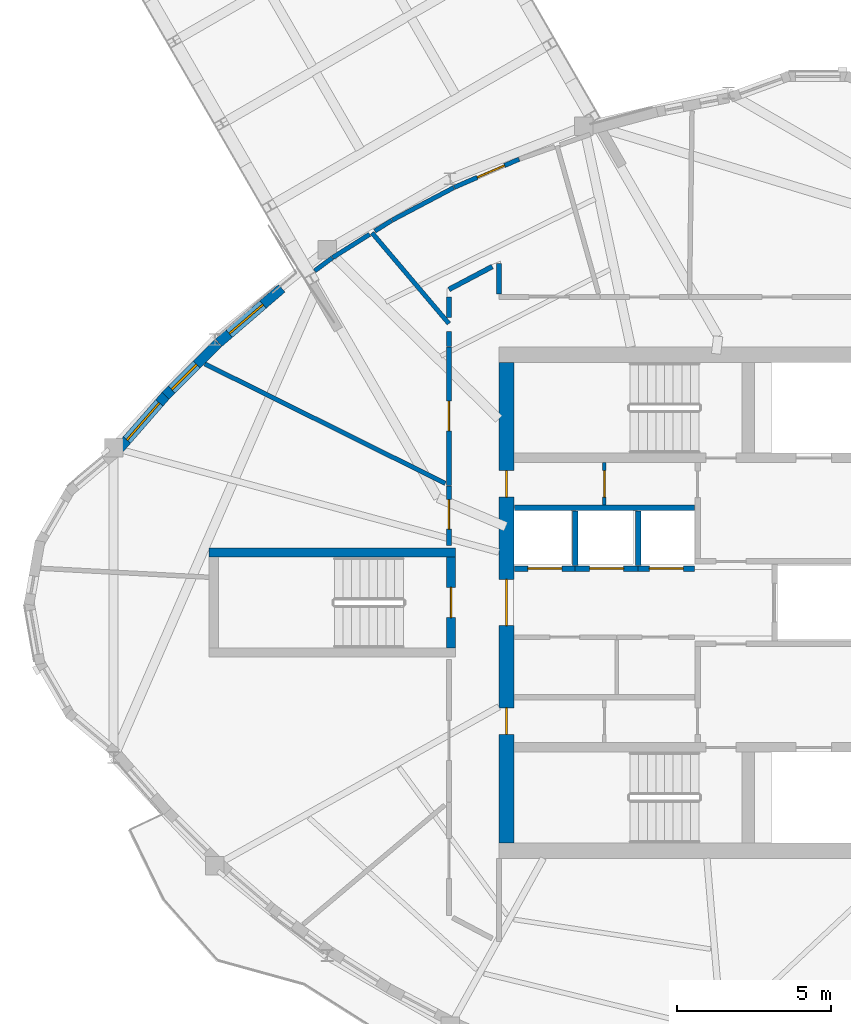
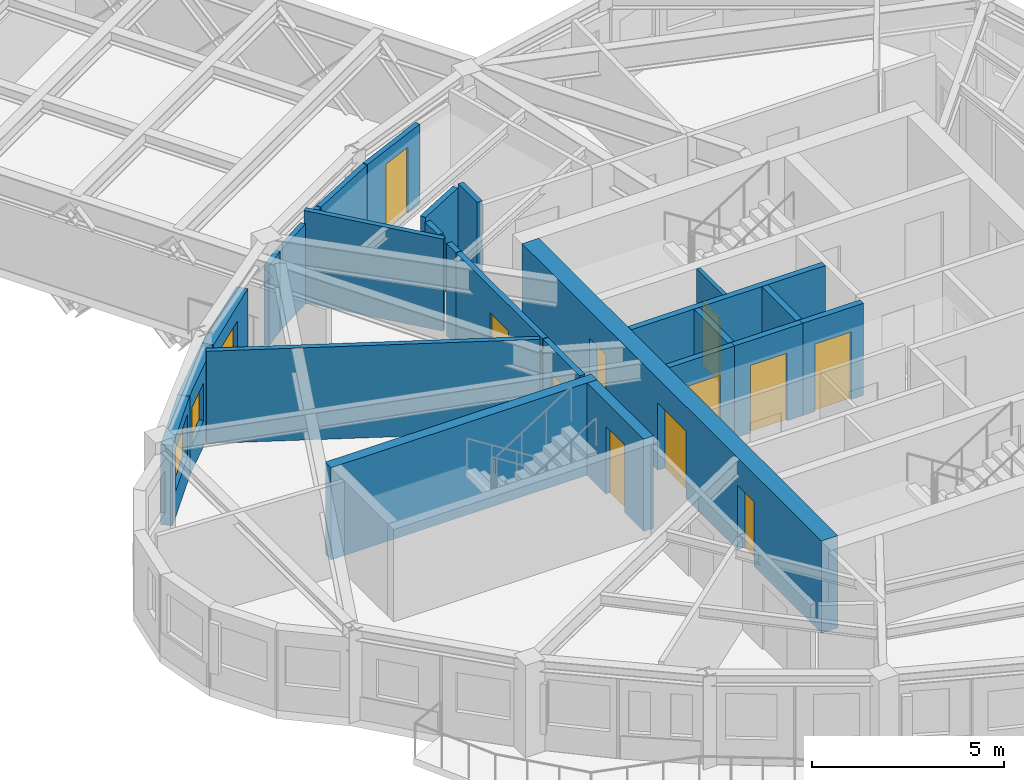
# One storey, part 7 of 14: 26 walls, 11 doors, 3 windows, 14 openings.
"""IFC4 building model written with IfcOpenShell, lengths in metres."""

from ifc_helpers import new_model, si_unit, direction, frame, frame_2d, origin, place, context, subcontext, project, spatial, rectangle, extrude, source, transform, mapped, material, layer, layer_set, type_object, element, fill, save


model = new_model("IFC4")

# Units and contexts
model_context = context("Model", 3, precision=1e-05, world=origin(), true_north=direction((0.0, 1.0)))
body_context = subcontext(model_context, "Body", "Model", "MODEL_VIEW")
ifc_project = project(units=[si_unit("LENGTHUNIT", "METRE"), si_unit("AREAUNIT", "SQUARE_METRE"), si_unit("VOLUMEUNIT", "CUBIC_METRE"), si_unit("PLANEANGLEUNIT", "RADIAN"), si_unit("MASSUNIT", "GRAM", prefix="KILO")], contexts=[model_context])

# Site, building, storey
site_placement = place(None, origin())
site = spatial("IfcSite", under=ifc_project, at=site_placement, CompositionType="ELEMENT")
building_placement = place(site_placement, origin())
building = spatial("IfcBuilding", under=site, at=building_placement, Name="Qafzar Sky-Pleat Residences", CompositionType="ELEMENT")
storey_placement = place(building_placement, frame((0.0, 0.0, 208.39990234375)))
storey = spatial("IfcBuildingStorey", under=building, at=storey_placement, Name="L62", CompositionType="ELEMENT", Elevation=208.39990234375)

# Wall, opening, door
ifc_material_1 = material(Name="Acoustic gypsum plasterboard partition", Category="gypsum")
ifc_layer_1 = layer(ifc_material_1, 0.159912109375)
ifc_layer_set_1 = layer_set([ifc_layer_1], Name="Acoustic gypsum plasterboard partition")
wall_type_1 = type_object("IfcWallType", Name="PART-COR-160", PredefinedType="PARTITIONING", material=ifc_layer_set_1)
wall_1_placement = place(storey_placement, frame((22.679931640625, 29.7939453125, 0.0), z_axis=(0.0, 0.0, 1.0), x_axis=(0.0, 1.0, 0.0)))
wall_1 = element("IfcWall", 1, at=wall_1_placement, inside=storey, type_object=wall_type_1, Name="L62 Partition Wall PART-L62-PW-005", PredefinedType="PARTITIONING", context=body_context, shape_type="SweptSolid", body=[
    extrude(rectangle(XDim=4.506103515625, YDim=0.159912109375, at=frame_2d((2.2529296875, 0.0))), origin(), (0.0, 0.0, 1.0), 2.93505859375),
])
opening_1_placement = place(wall_1_placement, frame((1.781494140625, 0.0, 0.0)))
opening_1 = element("IfcOpeningElement", 2, at=opening_1_placement, cuts=wall_1, Name="Opening ID-06", PredefinedType="OPENING", context=body_context, shape_type="SweptSolid", body=[
    extrude(rectangle(XDim=0.9599609375, YDim=2.10009765625, at=frame_2d((0.47998046875, 1.050048828125))), frame((0.0, 0.08984375, 0.0), z_axis=(0.0, -1.0, 0.0), x_axis=(1.0, 0.0, 0.0)), (0.0, 0.0, 1.0), 0.179931640625),
])
ifc_material_2 = material(Name="Timber-faced fire door", Category="wood")
door_type_1 = type_object("IfcDoorType", Name="DR-STD-960", OperationType="NOTDEFINED", PredefinedType="DOOR", material=ifc_material_2)
shared_shape_1 = source(origin(), body_context, "Body", "SweptSolid", [
    extrude(rectangle(XDim=0.9599609375, YDim=2.10009765625, at=frame_2d((0.47998046875, 1.050048828125))), frame((0.0, 0.02490234375, 0.0), z_axis=(0.0, -1.0, 0.0), x_axis=(1.0, 0.0, 0.0)), (0.0, 0.0, 1.0), 0.050048828125),
])
door_1_placement = place(opening_1_placement, origin())
door_1 = element("IfcDoor", 3, at=door_1_placement, inside=storey, type_object=door_type_1, Name="L62 Media Screening Room Door", OperationType="SINGLE_SWING_LEFT", OverallHeight=2.10009765625, OverallWidth=0.9599609375, PredefinedType="DOOR", context=body_context, shape_type="MappedRepresentation", body=[
    mapped(shared_shape_1, transform((0.0, 0.0, 0.0), x_axis=(1.0, 0.0, 0.0), y_axis=(0.0, 1.0, 0.0), z_axis=(0.0, 0.0, 1.0), scale=1.0)),
])
fill(opening_1, door_1)

wall_2_placement = place(storey_placement, frame((22.679931640625, 27.85009765625, 0.0), z_axis=(0.0, 0.0, 1.0), x_axis=(0.0, 1.0, 0.0)))
wall_2 = element("IfcWall", 4, at=wall_2_placement, inside=storey, type_object=wall_type_1, Name="L62 Partition Wall PART-L62-PW-012", PredefinedType="PARTITIONING", context=body_context, shape_type="SweptSolid", body=[
    extrude(rectangle(XDim=1.928955078125, YDim=0.159912109375, at=frame_2d((0.96435546875, 0.0))), origin(), (0.0, 0.0, 1.0), 2.93505859375),
])
opening_2_placement = place(wall_2_placement, frame((0.530029296875, 0.0, 0.0)))
opening_2 = element("IfcOpeningElement", 5, at=opening_2_placement, cuts=wall_2, Name="Opening ID-06", PredefinedType="OPENING", context=body_context, shape_type="SweptSolid", body=[
    extrude(rectangle(XDim=0.9599609375, YDim=2.10009765625, at=frame_2d((0.47998046875, 1.050048828125))), frame((0.0, 0.08984375, 0.0), z_axis=(0.0, -1.0, 0.0), x_axis=(1.0, 0.0, 0.0)), (0.0, 0.0, 1.0), 0.179931640625),
])
door_2_placement = place(opening_2_placement, origin())
door_2 = element("IfcDoor", 6, at=door_2_placement, inside=storey, type_object=door_type_1, Name="L62 Reading Library Door", OperationType="SINGLE_SWING_RIGHT", OverallHeight=2.10009765625, OverallWidth=0.9599609375, PredefinedType="DOOR", context=body_context, shape_type="MappedRepresentation", body=[
    mapped(shared_shape_1, transform((0.0, 0.0, 0.0), x_axis=(1.0, 0.0, 0.0), y_axis=(0.0, 1.0, 0.0), z_axis=(0.0, 0.0, 1.0), scale=1.0)),
])
fill(opening_2, door_2)

# Walls
wall_3_placement = place(storey_placement, frame((22.679931640625, 36.1630859375, 0.0), z_axis=(0.0, 0.0, 1.0), x_axis=(0.884428711586, 0.466675319812, 0.0)))
element("IfcWall", 7, at=wall_3_placement, inside=storey, type_object=wall_type_1, Name="L62 Partition Wall PART-L62-PW-040", PredefinedType="PARTITIONING", context=body_context, shape_type="SweptSolid", body=[
    extrude(rectangle(XDim=1.592041015625, YDim=0.159912109375, at=frame_2d((0.7958984375, 0.0))), origin(), (0.0, 0.0, 1.0), 2.93505859375),
])
wall_4_placement = place(storey_placement, frame((24.300048828125, 36.008056640625, 0.0), z_axis=(0.0, 0.0, 1.0), x_axis=(0.0, 1.0, 0.0)))
element("IfcWall", 8, at=wall_4_placement, inside=storey, type_object=wall_type_1, Name="L62 Partition Wall PART-L62-PW-047", PredefinedType="PARTITIONING", context=body_context, shape_type="SweptSolid", body=[
    extrude(rectangle(XDim=0.989990234375, YDim=0.159912109375, at=frame_2d((0.4951171875, 0.0))), origin(), (0.0, 0.0, 1.0), 2.93505859375),
])
wall_5_placement = place(storey_placement, frame((22.679931640625, 35.24658203125, 0.0), z_axis=(0.0, 0.0, 1.0), x_axis=(0.0, 1.0, 0.0)))
element("IfcWall", 9, at=wall_5_placement, inside=storey, type_object=wall_type_1, Name="L62 Partition Wall PART-L62-PW-049", PredefinedType="PARTITIONING", context=body_context, shape_type="SweptSolid", body=[
    extrude(rectangle(XDim=0.67333984375, YDim=0.159912109375, at=frame_2d((0.336669921875, 0.0))), origin(), (0.0, 0.0, 1.0), 2.93505859375),
])
wall_6_placement = place(storey_placement, frame((22.679931640625, 34.31494140625, 0.0), z_axis=(0.0, 0.0, 1.0), x_axis=(0.0, 1.0, 0.0)))
element("IfcWall", 10, at=wall_6_placement, inside=storey, type_object=wall_type_1, Name="L62 Partition Wall PART-L62-PW-052", PredefinedType="PARTITIONING", context=body_context, shape_type="SweptSolid", body=[
    extrude(rectangle(XDim=0.487548828125, YDim=0.159912109375, at=frame_2d((0.24365234375, 0.0))), origin(), (0.0, 0.0, 1.0), 2.93505859375),
])
ifc_material_3 = material(Name="Concrete blockwork partition", Category="masonry")
ifc_layer_2 = layer(ifc_material_3, 0.179931640625)
ifc_layer_set_2 = layer_set([ifc_layer_2], Name="Concrete blockwork partition")
wall_type_2 = type_object("IfcWallType", Name="PART-SHAFT-180", PredefinedType="PARTITIONING", material=ifc_layer_set_2)
wall_7_placement = place(storey_placement, frame((24.81005859375, 29.080078125, 0.0), z_axis=(0.0, 0.0, 1.0), x_axis=(1.0, 0.0, 0.0)))
element("IfcWall", 11, at=wall_7_placement, inside=storey, type_object=wall_type_2, Name="L62 Partition Wall PART-L62-P46-N", PredefinedType="PARTITIONING", context=body_context, shape_type="SweptSolid", body=[
    extrude(rectangle(XDim=5.83984375, YDim=0.179931640625, at=frame_2d((2.919921875, 0.0))), origin(), (0.0, 0.0, 1.0), 2.93505859375),
])

# Wall, opening, door
wall_8_placement = place(storey_placement, frame((24.81005859375, 27.10009765625, 0.0), z_axis=(0.0, 0.0, 1.0), x_axis=(1.0, 0.0, 0.0)))
wall_8 = element("IfcWall", 12, at=wall_8_placement, inside=storey, type_object=wall_type_2, Name="L62 Partition Wall PART-L62-P4-S", PredefinedType="PARTITIONING", context=body_context, shape_type="SweptSolid", body=[
    extrude(rectangle(XDim=1.96484375, YDim=0.179931640625, at=frame_2d((0.982421875, 0.0))), origin(), (0.0, 0.0, 1.0), 2.93505859375),
])
opening_3_placement = place(wall_8_placement, frame((0.4326171875, 0.0, 0.0)))
opening_3 = element("IfcOpeningElement", 13, at=opening_3_placement, cuts=wall_8, Name="Opening LD-01", PredefinedType="OPENING", context=body_context, shape_type="SweptSolid", body=[
    extrude(rectangle(XDim=1.10009765625, YDim=2.14990234375, at=frame_2d((0.550048828125, 1.074951171875))), frame((0.0, 0.10009765625, 0.0), z_axis=(0.0, -1.0, 0.0), x_axis=(1.0, 0.0, 0.0)), (0.0, 0.0, 1.0), 0.199951171875),
])
ifc_material_4 = material(Name="Stainless steel sliding landing door", Category="steel")
door_type_2 = type_object("IfcDoorType", Name="DR-LIFT-P", OperationType="DOUBLE_DOOR_SLIDING", PredefinedType="DOOR", material=ifc_material_4)
shared_shape_2 = source(origin(), body_context, "Body", "SweptSolid", [
    extrude(rectangle(XDim=1.10009765625, YDim=2.14990234375, at=frame_2d((0.550048828125, 1.074951171875))), frame((0.0, 0.02490234375, 0.0), z_axis=(0.0, -1.0, 0.0), x_axis=(1.0, 0.0, 0.0)), (0.0, 0.0, 1.0), 0.050048828125),
])
door_3_placement = place(opening_3_placement, origin())
door_3 = element("IfcDoor", 14, at=door_3_placement, inside=storey, type_object=door_type_2, Name="L62 Passenger Lift P4 Landing Door", OperationType="DOUBLE_DOOR_SLIDING", OverallHeight=2.14990234375, OverallWidth=1.10009765625, PredefinedType="DOOR", context=body_context, shape_type="MappedRepresentation", body=[
    mapped(shared_shape_2, transform((0.0, 0.0, 0.0), x_axis=(1.0, 0.0, 0.0), y_axis=(0.0, 1.0, 0.0), z_axis=(0.0, 0.0, 1.0), scale=1.0)),
])
fill(opening_3, door_3)

wall_9_placement = place(storey_placement, frame((26.77490234375, 27.10009765625, 0.0), z_axis=(0.0, 0.0, 1.0), x_axis=(1.0, 0.0, 0.0)))
wall_9 = element("IfcWall", 15, at=wall_9_placement, inside=storey, type_object=wall_type_2, Name="L62 Partition Wall PART-L62-P5-S", PredefinedType="PARTITIONING", context=body_context, shape_type="SweptSolid", body=[
    extrude(rectangle(XDim=2.050048828125, YDim=0.179931640625, at=frame_2d((1.02490234375, 0.0))), origin(), (0.0, 0.0, 1.0), 2.93505859375),
])
opening_4_placement = place(wall_9_placement, frame((0.47509765625, 0.0, 0.0)))
opening_4 = element("IfcOpeningElement", 16, at=opening_4_placement, cuts=wall_9, Name="Opening LD-01", PredefinedType="OPENING", context=body_context, shape_type="SweptSolid", body=[
    extrude(rectangle(XDim=1.10009765625, YDim=2.14990234375, at=frame_2d((0.550048828125, 1.074951171875))), frame((0.0, 0.10009765625, 0.0), z_axis=(0.0, -1.0, 0.0), x_axis=(1.0, 0.0, 0.0)), (0.0, 0.0, 1.0), 0.199951171875),
])
door_4_placement = place(opening_4_placement, origin())
door_4 = element("IfcDoor", 17, at=door_4_placement, inside=storey, type_object=door_type_2, Name="L62 Passenger Lift P5 Landing Door", OperationType="DOUBLE_DOOR_SLIDING", OverallHeight=2.14990234375, OverallWidth=1.10009765625, PredefinedType="DOOR", context=body_context, shape_type="MappedRepresentation", body=[
    mapped(shared_shape_2, transform((0.0, 0.0, 0.0), x_axis=(1.0, 0.0, 0.0), y_axis=(0.0, 1.0, 0.0), z_axis=(0.0, 0.0, 1.0), scale=1.0)),
])
fill(opening_4, door_4)

# Wall
wall_10_placement = place(storey_placement, frame((26.77490234375, 27.199951171875, 0.0), z_axis=(0.0, 0.0, 1.0), x_axis=(0.0, 1.0, 0.0)))
element("IfcWall", 18, at=wall_10_placement, inside=storey, type_object=wall_type_2, Name="L62 Partition Wall PART-L62-P46-DIV-1", PredefinedType="PARTITIONING", context=body_context, shape_type="SweptSolid", body=[
    extrude(rectangle(XDim=1.780029296875, YDim=0.179931640625, at=frame_2d((0.89013671875, 0.0))), origin(), (0.0, 0.0, 1.0), 2.93505859375),
])

# Wall, opening, door
wall_11_placement = place(storey_placement, frame((28.824951171875, 27.10009765625, 0.0), z_axis=(0.0, 0.0, 1.0), x_axis=(1.0, 0.0, 0.0)))
wall_11 = element("IfcWall", 19, at=wall_11_placement, inside=storey, type_object=wall_type_2, Name="L62 Partition Wall PART-L62-P6-S", PredefinedType="PARTITIONING", context=body_context, shape_type="SweptSolid", body=[
    extrude(rectangle(XDim=1.824951171875, YDim=0.179931640625, at=frame_2d((0.91259765625, 0.0))), origin(), (0.0, 0.0, 1.0), 2.93505859375),
])
opening_5_placement = place(wall_11_placement, frame((0.362548828125, 0.0, 0.0)))
opening_5 = element("IfcOpeningElement", 20, at=opening_5_placement, cuts=wall_11, Name="Opening LD-01", PredefinedType="OPENING", context=body_context, shape_type="SweptSolid", body=[
    extrude(rectangle(XDim=1.10009765625, YDim=2.14990234375, at=frame_2d((0.550048828125, 1.074951171875))), frame((0.0, 0.10009765625, 0.0), z_axis=(0.0, -1.0, 0.0), x_axis=(1.0, 0.0, 0.0)), (0.0, 0.0, 1.0), 0.199951171875),
])
door_5_placement = place(opening_5_placement, origin())
door_5 = element("IfcDoor", 21, at=door_5_placement, inside=storey, type_object=door_type_2, Name="L62 Passenger Lift P6 Landing Door", OperationType="DOUBLE_DOOR_SLIDING", OverallHeight=2.14990234375, OverallWidth=1.10009765625, PredefinedType="DOOR", context=body_context, shape_type="MappedRepresentation", body=[
    mapped(shared_shape_2, transform((0.0, 0.0, 0.0), x_axis=(1.0, 0.0, 0.0), y_axis=(0.0, 1.0, 0.0), z_axis=(0.0, 0.0, 1.0), scale=1.0)),
])
fill(opening_5, door_5)

# Wall
wall_12_placement = place(storey_placement, frame((28.824951171875, 27.199951171875, 0.0), z_axis=(0.0, 0.0, 1.0), x_axis=(0.0, 1.0, 0.0)))
element("IfcWall", 22, at=wall_12_placement, inside=storey, type_object=wall_type_2, Name="L62 Partition Wall PART-L62-P46-DIV-2", PredefinedType="PARTITIONING", context=body_context, shape_type="SweptSolid", body=[
    extrude(rectangle(XDim=1.780029296875, YDim=0.179931640625, at=frame_2d((0.89013671875, 0.0))), origin(), (0.0, 0.0, 1.0), 2.93505859375),
])

# Wall, opening, door
ifc_material_5 = material(Name="Gypsum plasterboard partition", Category="gypsum")
ifc_layer_3 = layer(ifc_material_5, 0.114990234375)
ifc_layer_set_3 = layer_set([ifc_layer_3], Name="Gypsum plasterboard partition")
wall_type_3 = type_object("IfcWallType", Name="PART-SVC-115", PredefinedType="PARTITIONING", material=ifc_layer_set_3)
wall_13_placement = place(storey_placement, frame((27.72509765625, 29.159912109375, 0.0), z_axis=(0.0, 0.0, 1.0), x_axis=(0.0, 1.0, 0.0)))
wall_13 = element("IfcWall", 23, at=wall_13_placement, inside=storey, type_object=wall_type_3, Name="L62 Partition Wall PART-L62-KB-NW", PredefinedType="PARTITIONING", context=body_context, shape_type="SweptSolid", body=[
    extrude(rectangle(XDim=1.380126953125, YDim=0.114990234375, at=frame_2d((0.68994140625, 0.0))), origin(), (0.0, 0.0, 1.0), 2.93505859375),
])
opening_6_placement = place(wall_13_placement, frame((0.260009765625, 0.0, 0.0)))
opening_6 = element("IfcOpeningElement", 24, at=opening_6_placement, cuts=wall_13, Name="Opening ID-09", PredefinedType="OPENING", context=body_context, shape_type="SweptSolid", body=[
    extrude(rectangle(XDim=0.860107421875, YDim=2.050048828125, at=frame_2d((0.43017578125, 1.02490234375))), frame((0.0, 0.0673828125, 0.0), z_axis=(0.0, -1.0, 0.0), x_axis=(1.0, 0.0, 0.0)), (0.0, 0.0, 1.0), 0.135009765625),
])
door_type_3 = type_object("IfcDoorType", Name="DR-SVC-860", OperationType="NOTDEFINED", PredefinedType="DOOR", material=ifc_material_2)
shared_shape_3 = source(origin(), body_context, "Body", "SweptSolid", [
    extrude(rectangle(XDim=0.860107421875, YDim=2.050048828125, at=frame_2d((0.43017578125, 1.02490234375))), frame((0.0, 0.02490234375, 0.0), z_axis=(0.0, -1.0, 0.0), x_axis=(1.0, 0.0, 0.0)), (0.0, 0.0, 1.0), 0.050048828125),
])
door_6_placement = place(opening_6_placement, origin())
door_6 = element("IfcDoor", 25, at=door_6_placement, inside=storey, type_object=door_type_3, Name="L62 IT Cupboard Door", OperationType="SINGLE_SWING_RIGHT", OverallHeight=2.050048828125, OverallWidth=0.860107421875, PredefinedType="DOOR", context=body_context, shape_type="MappedRepresentation", body=[
    mapped(shared_shape_3, transform((0.0, 0.0, 0.0), x_axis=(1.0, 0.0, 0.0), y_axis=(0.0, 1.0, 0.0), z_axis=(0.0, 0.0, 1.0), scale=1.0)),
])
fill(opening_6, door_6)

ifc_layer_4 = layer(ifc_material_1, 0.14501953125)
ifc_layer_set_4 = layer_set([ifc_layer_4], Name="Acoustic gypsum plasterboard partition")
wall_type_4 = type_object("IfcWallType", Name="PART-UNIT-145", PredefinedType="PARTITIONING", material=ifc_layer_set_4)
wall_14_placement = place(storey_placement, frame((22.85302734375, 39.47705078125, 0.0), z_axis=(0.0, 0.0, 1.0), x_axis=(0.917164692317, 0.398508377788, 0.0)))
wall_14 = element("IfcWall", 26, at=wall_14_placement, inside=storey, type_object=wall_type_4, Name="L62 Partition Wall PART-L62-PW-010", PredefinedType="PARTITIONING", context=body_context, shape_type="SweptSolid", body=[
    extrude(rectangle(XDim=2.296142578125, YDim=0.14501953125, at=frame_2d((1.14794921875, 0.0))), origin(), (0.0, 0.0, 1.0), 2.543212890625),
])
opening_7_placement = place(wall_14_placement, frame((0.8173828125, 0.0, 0.0)))
opening_7 = element("IfcOpeningElement", 27, at=opening_7_placement, cuts=wall_14, Name="Opening ID-06", PredefinedType="OPENING", context=body_context, shape_type="SweptSolid", body=[
    extrude(rectangle(XDim=0.9599609375, YDim=2.10009765625, at=frame_2d((0.47998046875, 1.050048828125))), frame((0.0, 0.08251953125, 0.0), z_axis=(0.0, -1.0, 0.0), x_axis=(1.0, 0.0, 0.0)), (0.0, 0.0, 1.0), 0.1650390625),
])
door_7_placement = place(opening_7_placement, origin())
door_7 = element("IfcDoor", 28, at=door_7_placement, inside=storey, type_object=door_type_1, Name="L62 Sky-Bar Reading Library Door", OperationType="SINGLE_SWING_RIGHT", OverallHeight=2.10009765625, OverallWidth=0.9599609375, PredefinedType="DOOR", context=body_context, shape_type="MappedRepresentation", body=[
    mapped(shared_shape_1, transform((0.0, 0.0, 0.0), x_axis=(1.0, 0.0, 0.0), y_axis=(0.0, 1.0, 0.0), z_axis=(0.0, 0.0, 1.0), scale=1.0)),
])
fill(opening_7, door_7)

# Walls
wall_15_placement = place(storey_placement, frame((14.758544921875, 33.746826171875, 0.0), z_axis=(0.0, 0.0, 1.0), x_axis=(0.895550902793, -0.44495907734, 0.0)))
element("IfcWall", 29, at=wall_15_placement, inside=storey, type_object=wall_type_4, Name="L62 Partition Wall PART-L62-PW-018", PredefinedType="PARTITIONING", context=body_context, shape_type="SweptSolid", body=[
    extrude(rectangle(XDim=8.7119140625, YDim=0.14501953125, at=frame_2d((4.35595703125, 0.0))), origin(), (0.0, 0.0, 1.0), 2.93505859375),
])
wall_16_placement = place(storey_placement, frame((20.18408203125, 38.001953125, 0.0), z_axis=(0.0, 0.0, 1.0), x_axis=(0.646276580378, -0.763103257531, 0.0)))
element("IfcWall", 30, at=wall_16_placement, inside=storey, type_object=wall_type_4, Name="L62 Partition Wall PART-L62-PW-026", PredefinedType="PARTITIONING", context=body_context, shape_type="SweptSolid", body=[
    extrude(rectangle(XDim=3.86181640625, YDim=0.14501953125, at=frame_2d((1.930908203125, 0.0))), origin(), (0.0, 0.0, 1.0), 2.93505859375),
])
wall_17_placement = place(storey_placement, frame((20.833984375, 38.410888671875, 0.0), z_axis=(0.0, 0.0, 1.0), x_axis=(0.884282286127, 0.466952715425, 0.0)))
element("IfcWall", 31, at=wall_17_placement, inside=storey, type_object=wall_type_4, Name="L62 Partition Wall PART-L62-PW-030", PredefinedType="PARTITIONING", context=body_context, shape_type="SweptSolid", body=[
    extrude(rectangle(XDim=2.26806640625, YDim=0.14501953125, at=frame_2d((1.134033203125, 0.0))), origin(), (0.0, 0.0, 1.0), 2.543212890625),
])
wall_18_placement = place(storey_placement, frame((18.902099609375, 37.196044921875, 0.0), z_axis=(0.0, 0.0, 1.0), x_axis=(0.846539334405, 0.532326173794, 0.0)))
element("IfcWall", 32, at=wall_18_placement, inside=storey, type_object=wall_type_4, Name="L62 Partition Wall PART-L62-PW-044", PredefinedType="PARTITIONING", context=body_context, shape_type="SweptSolid", body=[
    extrude(rectangle(XDim=1.422607421875, YDim=0.14501953125, at=frame_2d((0.71142578125, 0.0))), origin(), (0.0, 0.0, 1.0), 2.543212890625),
])
wall_19_placement = place(storey_placement, frame((20.274169921875, 38.05859375, 0.0), z_axis=(0.0, 0.0, 1.0), x_axis=(0.84623284009, 0.532813269686, 0.0)))
element("IfcWall", 33, at=wall_19_placement, inside=storey, type_object=wall_type_4, Name="L62 Partition Wall PART-L62-PW-050", PredefinedType="PARTITIONING", context=body_context, shape_type="SweptSolid", body=[
    extrude(rectangle(XDim=0.646484375, YDim=0.14501953125, at=frame_2d((0.3232421875, 0.0))), origin(), (0.0, 0.0, 1.0), 2.543212890625),
])
wall_20_placement = place(storey_placement, frame((18.321044921875, 36.76611328125, 0.0), z_axis=(0.0, 0.0, 1.0), x_axis=(0.80387489201, 0.594798417951, 0.0)))
element("IfcWall", 34, at=wall_20_placement, inside=storey, type_object=wall_type_4, Name="L62 Partition Wall PART-L62-PW-051", PredefinedType="PARTITIONING", context=body_context, shape_type="SweptSolid", body=[
    extrude(rectangle(XDim=0.70751953125, YDim=0.14501953125, at=frame_2d((0.353759765625, 0.0))), origin(), (0.0, 0.0, 1.0), 2.543212890625),
])

# Wall, opening, window
ifc_material_6 = material(Name="Precast concrete C40/50 with honed Riyadh limestone", Category="concrete")
ifc_layer_5 = layer(ifc_material_6, 0.320068359375)
ifc_layer_set_5 = layer_set([ifc_layer_5], Name="Precast concrete C40/50 with honed Riyadh limestone")
wall_type_5 = type_object("IfcWallType", Name="WALL-EXT-320", PredefinedType="SOLIDWALL", material=ifc_layer_set_5)
wall_21_placement = place(storey_placement, frame((17.255126953125, 36.19921875, 0.0), z_axis=(0.0, 0.0, 1.0), x_axis=(-0.757502279287, -0.652832518242, 0.0)))
wall_21 = element("IfcWall", 35, at=wall_21_placement, inside=storey, type_object=wall_type_5, Name="L62 Limestone Facade Wall 46", PredefinedType="SOLIDWALL", context=body_context, shape_type="SweptSolid", body=[
    extrude(rectangle(XDim=2.70556640625, YDim=0.320068359375, at=frame_2d((1.352783203125, 0.0))), origin(), (0.0, 0.0, 1.0), 2.55517578125),
])
opening_8_placement = place(wall_21_placement, frame((0.802978515625, 0.0, 0.820068359375)))
opening_8 = element("IfcOpeningElement", 36, at=opening_8_placement, cuts=wall_21, Name="Opening WN-15", PredefinedType="OPENING", context=body_context, shape_type="SweptSolid", body=[
    extrude(rectangle(XDim=1.449951171875, YDim=1.25, at=frame_2d((0.72509765625, 0.625))), frame((0.0, 0.169921875, 0.0), z_axis=(0.0, -1.0, 0.0), x_axis=(1.0, 0.0, 0.0)), (0.0, 0.0, 1.0), 0.340087890625),
])
ifc_material_7 = material(Name="Solar-control low-E glass in bronze aluminium frame", Category="glass")
window_type_1 = type_object("IfcWindowType", Name="WIN-15", PartitioningType="SINGLE_PANEL", PredefinedType="WINDOW", material=ifc_material_7)
shared_shape_4 = source(origin(), body_context, "Body", "SweptSolid", [
    extrude(rectangle(XDim=1.449951171875, YDim=1.25, at=frame_2d((0.72509765625, 0.625))), frame((0.0, 0.030029296875, 0.0), z_axis=(0.0, -1.0, 0.0), x_axis=(1.0, 0.0, 0.0)), (0.0, 0.0, 1.0), 0.06005859375),
])
window_1_placement = place(opening_8_placement, origin())
window_1 = element("IfcWindow", 37, at=window_1_placement, inside=storey, type_object=window_type_1, Name="L62 Punched Facade Window 46", OverallHeight=1.25, OverallWidth=1.449951171875, PartitioningType="SINGLE_PANEL", PredefinedType="WINDOW", context=body_context, shape_type="MappedRepresentation", body=[
    mapped(shared_shape_4, transform((0.0, 0.0, 0.0), x_axis=(1.0, 0.0, 0.0), y_axis=(0.0, 1.0, 0.0), z_axis=(0.0, 0.0, 1.0), scale=1.0)),
])
fill(opening_8, window_1)

wall_22_placement = place(storey_placement, frame((15.184814453125, 34.413330078125, 0.0), z_axis=(0.0, 0.0, 1.0), x_axis=(-0.70842648029, -0.705784614471, 0.0)))
wall_22 = element("IfcWall", 38, at=wall_22_placement, inside=storey, type_object=wall_type_5, Name="L62 Limestone Facade Wall 47", PredefinedType="SOLIDWALL", context=body_context, shape_type="SweptSolid", body=[
    extrude(rectangle(XDim=2.40283203125, YDim=0.320068359375, at=frame_2d((1.201416015625, 0.0))), origin(), (0.0, 0.0, 1.0), 2.55517578125),
])
opening_9_placement = place(wall_22_placement, frame((0.976318359375, 0.0, 0.820068359375)))
opening_9 = element("IfcOpeningElement", 39, at=opening_9_placement, cuts=wall_22, Name="Opening WN-16", PredefinedType="OPENING", context=body_context, shape_type="SweptSolid", body=[
    extrude(rectangle(XDim=1.14990234375, YDim=1.199951171875, at=frame_2d((0.574951171875, 0.60009765625))), frame((0.0, 0.169921875, 0.0), z_axis=(0.0, -1.0, 0.0), x_axis=(1.0, 0.0, 0.0)), (0.0, 0.0, 1.0), 0.340087890625),
])
window_type_2 = type_object("IfcWindowType", Name="WIN-16", PartitioningType="SINGLE_PANEL", PredefinedType="WINDOW", material=ifc_material_7)
shared_shape_5 = source(origin(), body_context, "Body", "SweptSolid", [
    extrude(rectangle(XDim=1.14990234375, YDim=1.199951171875, at=frame_2d((0.574951171875, 0.60009765625))), frame((0.0, 0.030029296875, 0.0), z_axis=(0.0, -1.0, 0.0), x_axis=(1.0, 0.0, 0.0)), (0.0, 0.0, 1.0), 0.06005859375),
])
window_2_placement = place(opening_9_placement, origin())
window_2 = element("IfcWindow", 40, at=window_2_placement, inside=storey, type_object=window_type_2, Name="L62 Punched Facade Window 47-2", OverallHeight=1.199951171875, OverallWidth=1.14990234375, PartitioningType="SINGLE_PANEL", PredefinedType="WINDOW", context=body_context, shape_type="MappedRepresentation", body=[
    mapped(shared_shape_5, transform((0.0, 0.0, 0.0), x_axis=(1.0, 0.0, 0.0), y_axis=(0.0, 1.0, 0.0), z_axis=(0.0, 0.0, 1.0), scale=1.0)),
])
fill(opening_9, window_2)

wall_23_placement = place(storey_placement, frame((13.542236328125, 32.781005859375, 0.0), z_axis=(0.0, 0.0, 1.0), x_axis=(-0.657706548736, -0.753274250024, 0.0)))
wall_23 = element("IfcWall", 41, at=wall_23_placement, inside=storey, type_object=wall_type_5, Name="L62 Limestone Facade Wall 48", PredefinedType="SOLIDWALL", context=body_context, shape_type="SweptSolid", body=[
    extrude(rectangle(XDim=2.383544921875, YDim=0.320068359375, at=frame_2d((1.19189453125, 0.0))), origin(), (0.0, 0.0, 1.0), 2.55517578125),
])
opening_10_placement = place(wall_23_placement, frame((0.396728515625, 0.0, 0.820068359375)))
opening_10 = element("IfcOpeningElement", 42, at=opening_10_placement, cuts=wall_23, Name="Opening WN-09", PredefinedType="OPENING", context=body_context, shape_type="SweptSolid", body=[
    extrude(rectangle(XDim=1.60009765625, YDim=1.35009765625, at=frame_2d((0.800048828125, 0.675048828125))), frame((0.0, 0.169921875, 0.0), z_axis=(0.0, -1.0, 0.0), x_axis=(1.0, 0.0, 0.0)), (0.0, 0.0, 1.0), 0.340087890625),
])
window_type_3 = type_object("IfcWindowType", Name="WIN-09", PartitioningType="DOUBLE_PANEL_VERTICAL", PredefinedType="WINDOW", material=ifc_material_7)
shared_shape_6 = source(origin(), body_context, "Body", "SweptSolid", [
    extrude(rectangle(XDim=1.60009765625, YDim=1.35009765625, at=frame_2d((0.800048828125, 0.675048828125))), frame((0.0, 0.030029296875, 0.0), z_axis=(0.0, -1.0, 0.0), x_axis=(1.0, 0.0, 0.0)), (0.0, 0.0, 1.0), 0.06005859375),
])
window_3_placement = place(opening_10_placement, origin())
window_3 = element("IfcWindow", 43, at=window_3_placement, inside=storey, type_object=window_type_3, Name="L62 Punched Facade Window 48", OverallHeight=1.35009765625, OverallWidth=1.60009765625, PartitioningType="SINGLE_PANEL", PredefinedType="WINDOW", context=body_context, shape_type="MappedRepresentation", body=[
    mapped(shared_shape_6, transform((0.0, 0.0, 0.0), x_axis=(1.0, 0.0, 0.0), y_axis=(0.0, 1.0, 0.0), z_axis=(0.0, 0.0, 1.0), scale=1.0)),
])
fill(opening_10, window_3)

# Wall
ifc_material_8 = material(Name="Concrete C60/75", Category="concrete")
ifc_layer_6 = layer(ifc_material_8, 0.300048828125)
ifc_layer_set_6 = layer_set([ifc_layer_6], Name="Concrete C60/75")
wall_type_6 = type_object("IfcWallType", Name="WALL-SHEAR-300", PredefinedType="SHEAR", material=ifc_layer_set_6)
wall_24_placement = place(storey_placement, frame((22.89990234375, 27.625, 0.0), z_axis=(0.0, 0.0, 1.0), x_axis=(-1.0, 0.0, 0.0)))
element("IfcWall", 44, at=wall_24_placement, inside=storey, type_object=wall_type_6, Name="L62 ST3 wall N", PredefinedType="SHEAR", context=body_context, shape_type="SweptSolid", body=[
    extrude(rectangle(XDim=8.0, YDim=0.300048828125, at=frame_2d((4.0, 0.0))), origin(), (0.0, 0.0, 1.0), 2.93505859375),
])

# Wall, opening, door
wall_25_placement = place(storey_placement, frame((22.75, 24.52490234375, 0.0), z_axis=(0.0, 0.0, 1.0), x_axis=(0.0, 1.0, 0.0)))
wall_25 = element("IfcWall", 45, at=wall_25_placement, inside=storey, type_object=wall_type_6, Name="L62 ST3 wall E", PredefinedType="SHEAR", context=body_context, shape_type="SweptSolid", body=[
    extrude(rectangle(XDim=2.9501953125, YDim=0.300048828125, at=frame_2d((1.47509765625, 0.0))), origin(), (0.0, 0.0, 1.0), 2.93505859375),
])
opening_11_placement = place(wall_25_placement, frame((0.985107421875, 0.0, 0.0)))
opening_11 = element("IfcOpeningElement", 46, at=opening_11_placement, cuts=wall_25, Name="Opening ID-01", PredefinedType="OPENING", context=body_context, shape_type="SweptSolid", body=[
    extrude(rectangle(XDim=0.97998046875, YDim=2.14990234375, at=frame_2d((0.489990234375, 1.074951171875))), frame((0.0, 0.16015625, 0.0), z_axis=(0.0, -1.0, 0.0), x_axis=(1.0, 0.0, 0.0)), (0.0, 0.0, 1.0), 0.320068359375),
])
door_type_4 = type_object("IfcDoorType", Name="DR-STAIR-980", OperationType="NOTDEFINED", PredefinedType="DOOR", material=ifc_material_2)
shared_shape_7 = source(origin(), body_context, "Body", "SweptSolid", [
    extrude(rectangle(XDim=0.97998046875, YDim=2.14990234375, at=frame_2d((0.489990234375, 1.074951171875))), frame((0.0, 0.02490234375, 0.0), z_axis=(0.0, -1.0, 0.0), x_axis=(1.0, 0.0, 0.0)), (0.0, 0.0, 1.0), 0.050048828125),
])
door_8_placement = place(opening_11_placement, origin())
door_8 = element("IfcDoor", 47, at=door_8_placement, inside=storey, type_object=door_type_4, Name="L62 Stair ST3 Fire Door", OperationType="SINGLE_SWING_RIGHT", OverallHeight=2.14990234375, OverallWidth=0.97998046875, PredefinedType="DOOR", context=body_context, shape_type="MappedRepresentation", body=[
    mapped(shared_shape_7, transform((0.0, 0.0, 0.0), x_axis=(1.0, 0.0, 0.0), y_axis=(0.0, 1.0, 0.0), z_axis=(0.0, 0.0, 1.0), scale=1.0)),
])
fill(opening_11, door_8)

# Wall, openings, doors
ifc_layer_7 = layer(ifc_material_8, 0.5)
ifc_layer_set_7 = layer_set([ifc_layer_7], Name="Concrete C60/75")
wall_type_7 = type_object("IfcWallType", Name="WALL-SHEAR-500", PredefinedType="SHEAR", material=ifc_layer_set_7)
wall_26_placement = place(storey_placement, frame((24.550048828125, 33.800048828125, 0.0), z_axis=(0.0, 0.0, 1.0), x_axis=(0.0, -1.0, 0.0)))
wall_26 = element("IfcWall", 48, at=wall_26_placement, inside=storey, type_object=wall_type_7, Name="L62 CORE wall W", PredefinedType="SHEAR", context=body_context, shape_type="SweptSolid", body=[
    extrude(rectangle(XDim=15.60009765625, YDim=0.5, at=frame_2d((7.800048828125, 0.0))), origin(), (0.0, 0.0, 1.0), 2.93505859375),
])
opening_12_placement = place(wall_26_placement, frame((7.050048828125, 0.0, 0.0)))
opening_12 = element("IfcOpeningElement", 49, at=opening_12_placement, cuts=wall_26, Name="Opening ID-03", PredefinedType="OPENING", context=body_context, shape_type="SweptSolid", body=[
    extrude(rectangle(XDim=1.5, YDim=2.14990234375, at=frame_2d((0.75, 1.074951171875))), frame((0.0, 0.260009765625, 0.0), z_axis=(0.0, -1.0, 0.0), x_axis=(1.0, 0.0, 0.0)), (0.0, 0.0, 1.0), 0.52001953125),
])
opening_13_placement = place(wall_26_placement, frame((3.52001953125, 0.0, 0.0)))
opening_13 = element("IfcOpeningElement", 50, at=opening_13_placement, cuts=wall_26, Name="Opening ID-09", PredefinedType="OPENING", context=body_context, shape_type="SweptSolid", body=[
    extrude(rectangle(XDim=0.860107421875, YDim=2.050048828125, at=frame_2d((0.43017578125, 1.02490234375))), frame((0.0, 0.260009765625, 0.0), z_axis=(0.0, -1.0, 0.0), x_axis=(1.0, 0.0, 0.0)), (0.0, 0.0, 1.0), 0.52001953125),
])
opening_14_placement = place(wall_26_placement, frame((11.219970703125, 0.0, 0.0)))
opening_14 = element("IfcOpeningElement", 51, at=opening_14_placement, cuts=wall_26, Name="Opening ID-09", PredefinedType="OPENING", context=body_context, shape_type="SweptSolid", body=[
    extrude(rectangle(XDim=0.860107421875, YDim=2.050048828125, at=frame_2d((0.43017578125, 1.02490234375))), frame((0.0, 0.260009765625, 0.0), z_axis=(0.0, -1.0, 0.0), x_axis=(1.0, 0.0, 0.0)), (0.0, 0.0, 1.0), 0.52001953125),
])
door_type_5 = type_object("IfcDoorType", Name="DR-COR-1500", OperationType="DOUBLE_DOOR_SINGLE_SWING", PredefinedType="DOOR", material=ifc_material_2)
shared_shape_8 = source(origin(), body_context, "Body", "SweptSolid", [
    extrude(rectangle(XDim=1.5, YDim=2.14990234375, at=frame_2d((0.75, 1.074951171875))), frame((0.0, 0.02490234375, 0.0), z_axis=(0.0, -1.0, 0.0), x_axis=(1.0, 0.0, 0.0)), (0.0, 0.0, 1.0), 0.050048828125),
])
door_9_placement = place(opening_12_placement, origin())
door_9 = element("IfcDoor", 52, at=door_9_placement, inside=storey, type_object=door_type_5, Name="L62 Lift Lobby West Double Door", OperationType="DOUBLE_DOOR_SINGLE_SWING", OverallHeight=2.14990234375, OverallWidth=1.5, PredefinedType="DOOR", context=body_context, shape_type="MappedRepresentation", body=[
    mapped(shared_shape_8, transform((0.0, 0.0, 0.0), x_axis=(1.0, 0.0, 0.0), y_axis=(0.0, 1.0, 0.0), z_axis=(0.0, 0.0, 1.0), scale=1.0)),
])
fill(opening_12, door_9)
door_10_placement = place(opening_13_placement, origin())
door_10 = element("IfcDoor", 53, at=door_10_placement, inside=storey, type_object=door_type_3, Name="L62 Core North-West Service Door", OperationType="SINGLE_SWING_LEFT", OverallHeight=2.050048828125, OverallWidth=0.860107421875, PredefinedType="DOOR", context=body_context, shape_type="MappedRepresentation", body=[
    mapped(shared_shape_3, transform((0.0, 0.0, 0.0), x_axis=(1.0, 0.0, 0.0), y_axis=(0.0, 1.0, 0.0), z_axis=(0.0, 0.0, 1.0), scale=1.0)),
])
fill(opening_13, door_10)
door_11_placement = place(opening_14_placement, origin())
door_11 = element("IfcDoor", 54, at=door_11_placement, inside=storey, type_object=door_type_3, Name="L62 Core South-West Service Door", OperationType="SINGLE_SWING_RIGHT", OverallHeight=2.050048828125, OverallWidth=0.860107421875, PredefinedType="DOOR", context=body_context, shape_type="MappedRepresentation", body=[
    mapped(shared_shape_3, transform((0.0, 0.0, 0.0), x_axis=(1.0, 0.0, 0.0), y_axis=(0.0, 1.0, 0.0), z_axis=(0.0, 0.0, 1.0), scale=1.0)),
])
fill(opening_14, door_11)

save(model, "model.ifc")
